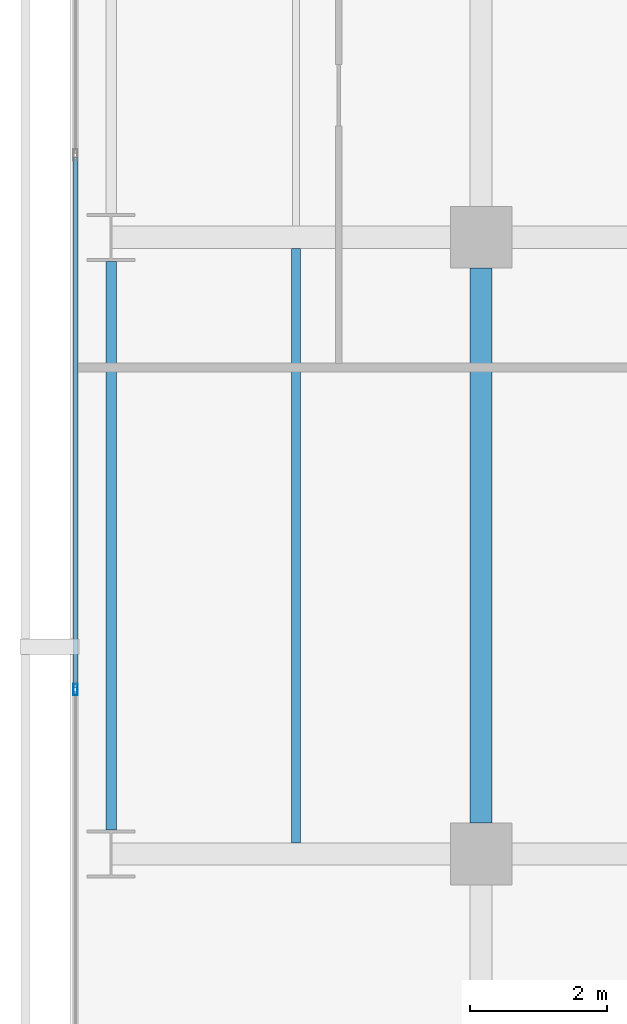
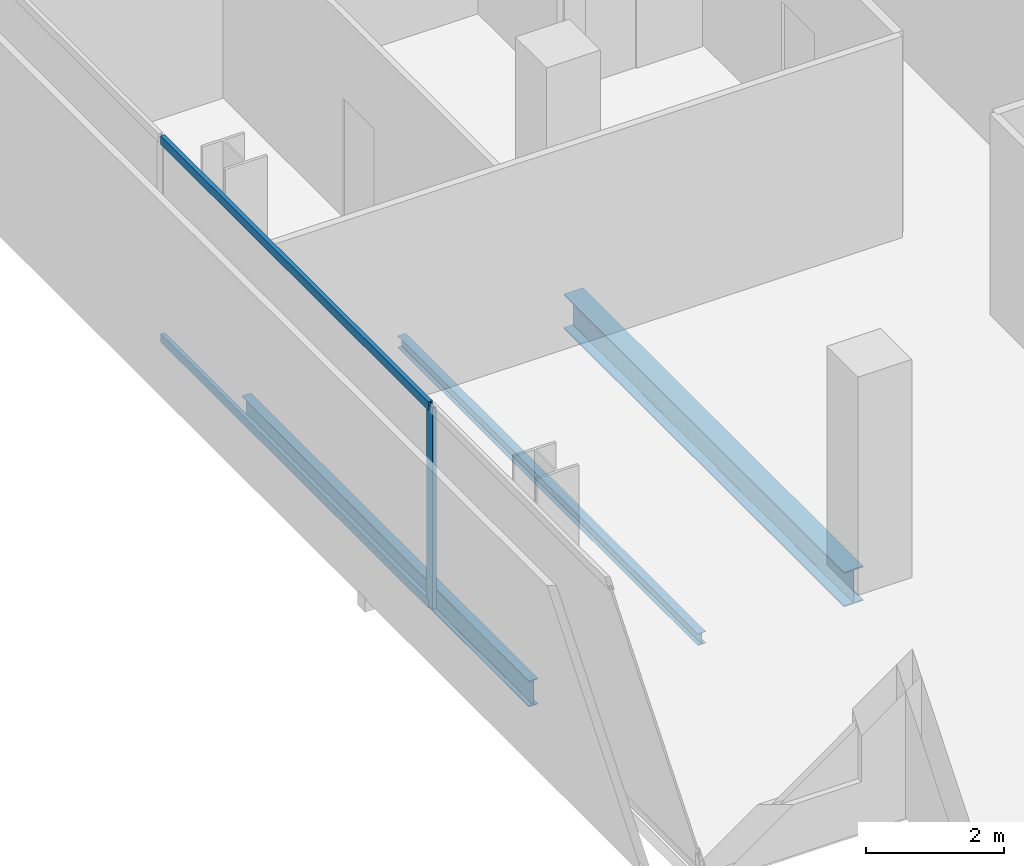
# One storey, part 5 of 39: 3 beams, 3 members, 1 element without a shape of its own.
"""IFC4 building model written with IfcOpenShell, lengths in metres."""

import ifcopenshell
import ifcopenshell.guid

model = None  # the IFC model being written
_history = None  # IfcOwnerHistory: only IFC2X3 demands one
_inside = {}  # id of a spatial element -> (the spatial element, [elements in it])
_under = {}  # id of a project, library or spatial element -> (it, [spatial elements below it])
_declared = {}  # id of a project -> (the project, [libraries it declares])
_typed = {}  # id of a type object -> (the type object, [elements of that type])
_made_of = {}  # id of a material, layer set ... -> (it, [elements and type objects made of it])


def new_model(schema):
    """Start an empty IFC model of exactly this schema.

    Asked for "IFC4X3", IfcOpenShell would pick the latest addendum, in which some entities
    have other attributes; the version numbers below select the first issue.
    IFC2X3 requires an IfcOwnerHistory on every rooted entity: one is made here for all.
    """
    global model, _history
    if schema == "IFC4X3":
        model = ifcopenshell.file(schema_version=(4, 3, 0, 0))
    else:
        model = ifcopenshell.file(schema=schema)
    _inside.clear()
    _under.clear()
    _declared.clear()
    _typed.clear()
    _made_of.clear()
    _history = None
    if model.schema == "IFC2X3":
        org = make("IfcOrganization", Name="unknown")
        user = make(
            "IfcPersonAndOrganization",
            ThePerson=make("IfcPerson", FamilyName="unknown"),
            TheOrganization=org,
        )
        app = make(
            "IfcApplication",
            ApplicationDeveloper=org,
            Version="unknown",
            ApplicationFullName="unknown",
            ApplicationIdentifier="unknown",
        )
        _history = make(
            "IfcOwnerHistory",
            OwningUser=user,
            OwningApplication=app,
            ChangeAction="ADDED",
            CreationDate=0,
        )
    return model


def make(cls, **values):
    """One entity of the class cls with the attributes given. An attribute that is None is left unset."""
    return model.create_entity(
        cls, **{name: value for name, value in values.items() if value is not None}
    )


def rooted(cls, **values):
    """An entity with a GlobalId (a new one), such as an element, a storey or a relation."""
    return make(cls, GlobalId=ifcopenshell.guid.new(), OwnerHistory=_history, **values)


def si_unit(unit_type, name, prefix=None):
    """IfcSIUnit, for example si_unit("LENGTHUNIT", "METRE", prefix="MILLI")."""
    return make("IfcSIUnit", UnitType=unit_type, Prefix=prefix, Name=name)


def assignment(units):
    """IfcUnitAssignment: the units of a project."""
    return None if units is None else make("IfcUnitAssignment", Units=units)


def point(xyz):
    """IfcCartesianPoint."""
    return None if xyz is None else make("IfcCartesianPoint", Coordinates=xyz)


def direction(xyz):
    """IfcDirection."""
    return None if xyz is None else make("IfcDirection", DirectionRatios=xyz)


def frame(location, z_axis=None, x_axis=None):
    """IfcAxis2Placement3D, a coordinate frame: its origin and axes. An axis left out is left unset."""
    return make(
        "IfcAxis2Placement3D",
        Location=point(location),
        Axis=direction(z_axis),
        RefDirection=direction(x_axis),
    )


def frame_2d(location, x_axis=None):
    """IfcAxis2Placement2D, a coordinate frame in the plane: its origin and x axis."""
    return make(
        "IfcAxis2Placement2D", Location=point(location), RefDirection=direction(x_axis)
    )


def origin():
    """The frame at (0, 0, 0) with its axes left unset."""
    return frame((0.0, 0.0, 0.0))


def origin_2d():
    """The frame at (0, 0) in the plane with its x axis left unset."""
    return frame_2d((0.0, 0.0))


def place(relative_to, where):
    """IfcLocalPlacement: puts the frame where relative to a parent placement (None: the world)."""
    return make(
        "IfcLocalPlacement", PlacementRelTo=relative_to, RelativePlacement=where
    )


def context(
    kind, dimensions, precision=None, world=None, true_north=None, identifier=None
):
    """IfcGeometricRepresentationContext, for example the 3D "Model" context."""
    return make(
        "IfcGeometricRepresentationContext",
        ContextIdentifier=identifier,
        ContextType=kind,
        CoordinateSpaceDimension=dimensions,
        Precision=precision,
        WorldCoordinateSystem=world,
        TrueNorth=true_north,
    )


def subcontext(parent, identifier, kind, view, scale=None):
    """IfcGeometricRepresentationSubContext, for example "Body" below "Model"."""
    return make(
        "IfcGeometricRepresentationSubContext",
        ContextIdentifier=identifier,
        ContextType=kind,
        ParentContext=parent,
        TargetScale=scale,
        TargetView=view,
    )


def project(units=None, contexts=None):
    """IfcProject with its units and contexts."""
    return rooted(
        "IfcProject",
        Name="project",
        RepresentationContexts=contexts,
        UnitsInContext=assignment(units),
    )


def spatial(cls, under=None, at=None, **own):
    """A site, building, storey or space (cls), placed at a placement, below another one or the project."""
    s = rooted(cls, ObjectPlacement=at, **own)
    if under is not None:
        _under.setdefault(under.id(), (under, []))[1].append(s)
    return s


def profile(cls, at=None, kind="AREA", **sizes):
    """A parametric profile (cls). Its sizes go by their IFC names, for example OverallWidth=200.0."""
    return make(cls, ProfileType=kind, Position=at, **sizes)


def hollow_rectangle(**sizes):
    """IfcRectangleHollowProfileDef."""
    return profile("IfcRectangleHollowProfileDef", **sizes)


def i_section(**sizes):
    """IfcIShapeProfileDef."""
    return profile("IfcIShapeProfileDef", **sizes)


def extrude(swept, where, along, depth):
    """IfcExtrudedAreaSolid: the profile swept, set in the frame where, extruded along a direction by depth."""
    return make(
        "IfcExtrudedAreaSolid",
        SweptArea=swept,
        Position=where,
        ExtrudedDirection=direction(along),
        Depth=depth,
    )


def shape(context_of_items, identifier, shape_type, items):
    """IfcShapeRepresentation: the items that make up one representation, for example the "Body"."""
    return make(
        "IfcShapeRepresentation",
        ContextOfItems=context_of_items,
        RepresentationIdentifier=identifier,
        RepresentationType=shape_type,
        Items=items,
    )


def material(Name=None, Category=None):
    """IfcMaterial."""
    return make("IfcMaterial", Name=Name, Category=Category)


def layer(
    of_material, thickness, ventilated=None, Name=None, Category=None, Priority=None
):
    """IfcMaterialLayer: one layer of a wall or slab, of a material (None: an air gap)."""
    return make(
        "IfcMaterialLayer",
        Material=of_material,
        LayerThickness=thickness,
        IsVentilated=ventilated,
        Name=Name,
        Category=Category,
        Priority=Priority,
    )


def layer_set(layers, Name=None):
    """IfcMaterialLayerSet."""
    return make("IfcMaterialLayerSet", MaterialLayers=layers, LayerSetName=Name)


def material_profile(
    of_material, cross_section, Name=None, Category=None, Priority=None
):
    """IfcMaterialProfile: a cross section and its material."""
    return make(
        "IfcMaterialProfile",
        Name=Name,
        Material=of_material,
        Profile=cross_section,
        Priority=Priority,
        Category=Category,
    )


def profile_set(profiles, Name=None, composite=None):
    """IfcMaterialProfileSet."""
    return make(
        "IfcMaterialProfileSet",
        Name=Name,
        MaterialProfiles=profiles,
        CompositeProfile=composite,
    )


def made_of(thing, what):
    """Note that an element or type object is made of a material, layer set ...; save() writes the relation."""
    if what is not None:
        _made_of.setdefault(what.id(), (what, []))[1].append(thing)
    return thing


def type_object(cls, material=None, **own):
    """A type object (cls), such as IfcWallType, which elements share."""
    return made_of(rooted(cls, **own), material)


def element(
    cls,
    number,
    at=None,
    inside=None,
    cuts=None,
    type_object=None,
    material=None,
    context=None,
    identifier="Body",
    shape_type=None,
    held_by="IfcProductDefinitionShape",
    body=None,
    shapes=None,
    **own,
):
    """One element of the class cls, such as IfcWall. Its Tag is "e" and its number.

    at: its placement. inside: the storey or other place that contains it. cuts: it is an
    opening in that element (IfcRelVoidsElement). A single representation is given by context,
    identifier, shape_type and body (its items); several are given by shapes. held_by: the class
    of the entity that holds the representations. save() writes the other relations.
    """
    e = rooted(cls, Tag="e%d" % number, ObjectPlacement=at, **own)
    if body is not None:
        shapes = [shape(context, identifier, shape_type, body)]
    if shapes is not None:
        e.Representation = make(held_by, Representations=shapes)
    if inside is not None:
        _inside.setdefault(inside.id(), (inside, []))[1].append(e)
    if cuts is not None:
        rooted(
            "IfcRelVoidsElement", RelatingBuildingElement=cuts, RelatedOpeningElement=e
        )
    if type_object is not None:
        _typed.setdefault(type_object.id(), (type_object, []))[1].append(e)
    return made_of(e, material)


def aggregate(whole, parts):
    """IfcRelAggregates: a whole, such as a stair, and the parts it consists of."""
    return rooted("IfcRelAggregates", RelatingObject=whole, RelatedObjects=parts)


def save(model, path):
    """Write the relations noted so far, then the file.

    IfcRelAggregates (storeys below a building ...), IfcRelContainedInSpatialStructure (elements
    in a storey), IfcRelDefinesByType, IfcRelAssociatesMaterial and IfcRelDeclares: one each for
    every whole, place, type object, material and project.
    """
    for whole, parts in _under.values():
        aggregate(whole, parts)
    for where, things in _inside.values():
        rooted(
            "IfcRelContainedInSpatialStructure",
            RelatedElements=things,
            RelatingStructure=where,
        )
    for kind, things in _typed.values():
        rooted("IfcRelDefinesByType", RelatedObjects=things, RelatingType=kind)
    for what, things in _made_of.values():
        rooted("IfcRelAssociatesMaterial", RelatedObjects=things, RelatingMaterial=what)
    for by, libraries in _declared.values():
        rooted("IfcRelDeclares", RelatingContext=by, RelatedDefinitions=libraries)
    model.write(path)


model = new_model("IFC4")

# Units and contexts
model_context = context("Model", 3, precision=1e-05, world=origin(), true_north=direction((0.0, 1.0)))
body_context = subcontext(model_context, "Body", "Model", "MODEL_VIEW")
ifc_project = project(units=[si_unit("LENGTHUNIT", "METRE"), si_unit("AREAUNIT", "SQUARE_METRE"), si_unit("VOLUMEUNIT", "CUBIC_METRE"), si_unit("PLANEANGLEUNIT", "RADIAN"), si_unit("MASSUNIT", "GRAM", prefix="KILO")], contexts=[model_context])

# Site, building, storey
site_placement = place(None, origin())
site = spatial("IfcSite", under=ifc_project, at=site_placement, CompositionType="ELEMENT")
building_placement = place(site_placement, origin())
building = spatial("IfcBuilding", under=site, at=building_placement, Name="Maruvema Waterfront Hotel and Observation Tower", CompositionType="ELEMENT")
storey_placement = place(building_placement, frame((0.0, 0.0, 111.64990234375)))
storey = spatial("IfcBuildingStorey", under=building, at=storey_placement, Name="L27", CompositionType="ELEMENT", Elevation=111.64990234375)

# Curtain wall, members
ifc_material_1 = material(Name="Anodised bronze aluminium and solar-control low-E IGU", Category="aluminium")
ifc_layer = layer(ifc_material_1, 0.159912109375, Name="Zone 1 Bronze Inner Thermal Curtain Wall System CW-02")
ifc_layer_set = layer_set([ifc_layer], Name="Anodised bronze aluminium and solar-control low-E IGU")
curtain_wall_type = type_object("IfcCurtainWallType", Name="Zone 1 Bronze Inner Thermal Curtain Wall System CW-02", PredefinedType="USERDEFINED", material=ifc_layer_set)
curtain_wall_placement = place(storey_placement, origin())
curtain_wall = element("IfcCurtainWall", 1, at=curtain_wall_placement, inside=storey, type_object=curtain_wall_type, Name="L27 Curtain Wall CW-L27-W", ObjectType="UNITISED CURTAIN WALL", PredefinedType="USERDEFINED")
ifc_material_2 = material(Name="Anodised architectural bronze aluminium", Category="aluminium")
ifc_material_profile_1 = material_profile(ifc_material_2, hollow_rectangle(XDim=0.070068359375, YDim=0.14990234375, WallThickness=0.00390625, at=origin_2d()), Name="ALU-T70x150")
ifc_profile_set_1 = profile_set([ifc_material_profile_1], Name="Anodised architectural bronze aluminium")
member_type_1 = type_object("IfcMemberType", Name="Curtain Wall Horizontal Transom ALU-T70x150", PredefinedType="USERDEFINED", material=ifc_profile_set_1)
member_1_placement = place(storey_placement, frame((10.8798828125, 19.169921875, 0.030029296875), z_axis=(0.0, -1.0, 0.0), x_axis=(1.0, 0.0, 0.0)))
member_1 = element("IfcMember", 2, at=member_1_placement, type_object=member_type_1, Name="CW-02 transom 5.1", ObjectType="TRANSOM", PredefinedType="USERDEFINED", context=body_context, shape_type="SweptSolid", body=[
    extrude(hollow_rectangle(XDim=0.070068359375, YDim=0.14990234375, WallThickness=0.00390625, at=origin_2d()), origin(), (0.0, 0.0, 1.0), 7.739990234375),
])
member_2_placement = place(storey_placement, frame((10.8798828125, 19.169921875, 3.52001953125), z_axis=(0.0, -1.0, 0.0), x_axis=(1.0, 0.0, 0.0)))
member_2 = element("IfcMember", 3, at=member_2_placement, type_object=member_type_1, Name="CW-02 transom 5.2", ObjectType="TRANSOM", PredefinedType="USERDEFINED", context=body_context, shape_type="SweptSolid", body=[
    extrude(hollow_rectangle(XDim=0.070068359375, YDim=0.14990234375, WallThickness=0.00390625, at=origin_2d()), origin(), (0.0, 0.0, 1.0), 7.739990234375),
])
ifc_material_3 = material(Name="Anodised architectural bronze aluminium", Category="aluminium")
ifc_material_profile_2 = material_profile(ifc_material_3, hollow_rectangle(XDim=0.06494140625, YDim=0.1650390625, WallThickness=0.00390625, at=origin_2d()), Name="ALU-M65x165")
ifc_profile_set_2 = profile_set([ifc_material_profile_2], Name="Anodised architectural bronze aluminium")
member_type_2 = type_object("IfcMemberType", Name="Curtain Wall Primary Mullion ALU-M65x165", PredefinedType="MULLION", material=ifc_profile_set_2)
member_3_placement = place(storey_placement, frame((10.8798828125, 11.39990234375, 0.0), z_axis=(0.0, 0.0, 1.0), x_axis=(1.0, 0.0, 0.0)))
member_3 = element("IfcMember", 4, at=member_3_placement, type_object=member_type_2, Name="CW-02 mullion 6", PredefinedType="MULLION", context=body_context, shape_type="SweptSolid", body=[
    extrude(hollow_rectangle(XDim=0.06494140625, YDim=0.1650390625, WallThickness=0.00390625, at=origin_2d()), origin(), (0.0, 0.0, 1.0), 3.550048828125),
])
aggregate(curtain_wall, [member_3, member_1, member_2])

# Beams
ifc_material_4 = material(Name="Steel ASTM A572 Grade 50", Category="steel")
ifc_material_profile_3 = material_profile(ifc_material_4, i_section(OverallWidth=0.153076171875, OverallDepth=0.455078125, WebThickness=0.008056640625, FlangeThickness=0.01318359375, FilletRadius=0.014892578125, at=origin_2d()), Name="W460x60.0")
ifc_profile_set_3 = profile_set([ifc_material_profile_3], Name="Steel ASTM A572 Grade 50")
beam_type_1 = type_object("IfcBeamType", Name="Perimeter Spandrel Beam W460x60.0", PredefinedType="SPANDREL", material=ifc_profile_set_3)
beam_1_placement = place(storey_placement, frame((11.39990234375, 9.35009765625, -0.46728515625), z_axis=(0.0, 1.0, 0.0), x_axis=(-1.0, 0.0, 0.0)))
element("IfcBeam", 5, at=beam_1_placement, inside=storey, type_object=beam_type_1, Name="L27 Floor Girder NS-01", PredefinedType="SPANDREL", context=body_context, shape_type="SweptSolid", body=[
    extrude(i_section(OverallWidth=0.153076171875, OverallDepth=0.455078125, WebThickness=0.008056640625, FlangeThickness=0.01318359375, FilletRadius=0.014892578125, at=origin_2d()), origin(), (0.0, 0.0, 1.0), 8.2998046875),
])
ifc_material_5 = material(Name="Steel ASTM A572 Grade 50", Category="steel")
ifc_material_profile_4 = material_profile(ifc_material_5, i_section(OverallWidth=0.323974609375, OverallDepth=0.611083984375, WebThickness=0.0126953125, FlangeThickness=0.01904296875, FilletRadius=0.01806640625, at=origin_2d()), Name="W610x155.0")
ifc_profile_set_4 = profile_set([ifc_material_profile_4], Name="Steel ASTM A572 Grade 50")
beam_type_2 = type_object("IfcBeamType", Name="Primary Floor Girder W610x155.0", PredefinedType="BEAM", material=ifc_profile_set_4)
beam_2_placement = place(storey_placement, frame((16.800048828125, 9.449951171875, -0.54541015625), z_axis=(0.0, 1.0, 0.0), x_axis=(-1.0, 0.0, 0.0)))
element("IfcBeam", 6, at=beam_2_placement, inside=storey, type_object=beam_type_2, Name="L27 Floor Girder NS-06", PredefinedType="BEAM", context=body_context, shape_type="SweptSolid", body=[
    extrude(i_section(OverallWidth=0.323974609375, OverallDepth=0.611083984375, WebThickness=0.0126953125, FlangeThickness=0.01904296875, FilletRadius=0.01806640625, at=origin_2d()), origin(), (0.0, 0.0, 1.0), 8.10009765625),
])
ifc_material_6 = material(Name="Steel ASTM A572 Grade 50", Category="steel")
ifc_material_profile_5 = material_profile(ifc_material_6, i_section(OverallWidth=0.133056640625, OverallDepth=0.20703125, WebThickness=0.005859375, FlangeThickness=0.00830078125, FilletRadius=0.010009765625, at=origin_2d()), Name="W200x26.6")
ifc_profile_set_5 = profile_set([ifc_material_profile_5], Name="Steel ASTM A572 Grade 50")
beam_type_3 = type_object("IfcBeamType", Name="Secondary Floor Joist W200x26.6", PredefinedType="JOIST", material=ifc_profile_set_5)
beam_3_placement = place(storey_placement, frame((14.10009765625, 9.162109375, -0.343505859375), z_axis=(0.0, 1.0, 0.0), x_axis=(-1.0, 0.0, 0.0)))
element("IfcBeam", 7, at=beam_3_placement, inside=storey, type_object=beam_type_3, Name="L27 Secondary Floor Joist JS-01", PredefinedType="JOIST", context=body_context, shape_type="SweptSolid", body=[
    extrude(i_section(OverallWidth=0.133056640625, OverallDepth=0.20703125, WebThickness=0.005859375, FlangeThickness=0.00830078125, FilletRadius=0.010009765625, at=origin_2d()), origin(), (0.0, 0.0, 1.0), 8.67578125),
])

save(model, "model.ifc")
